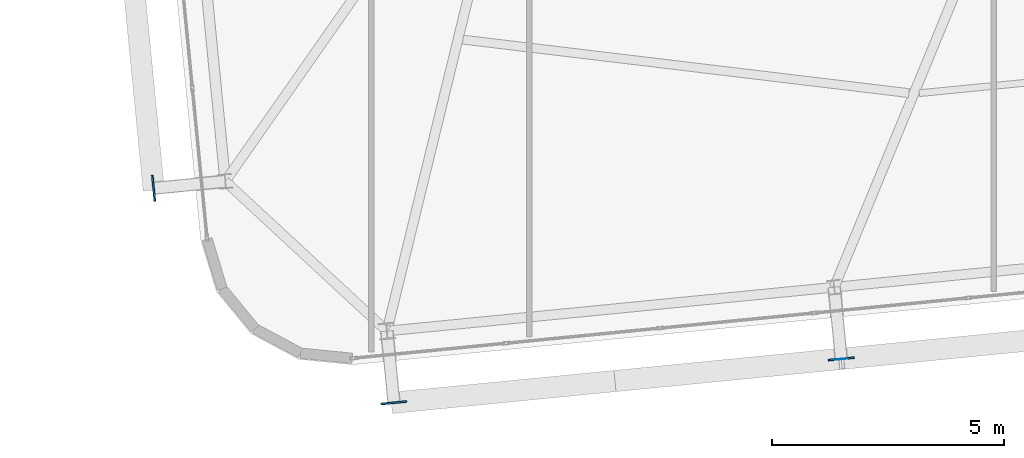
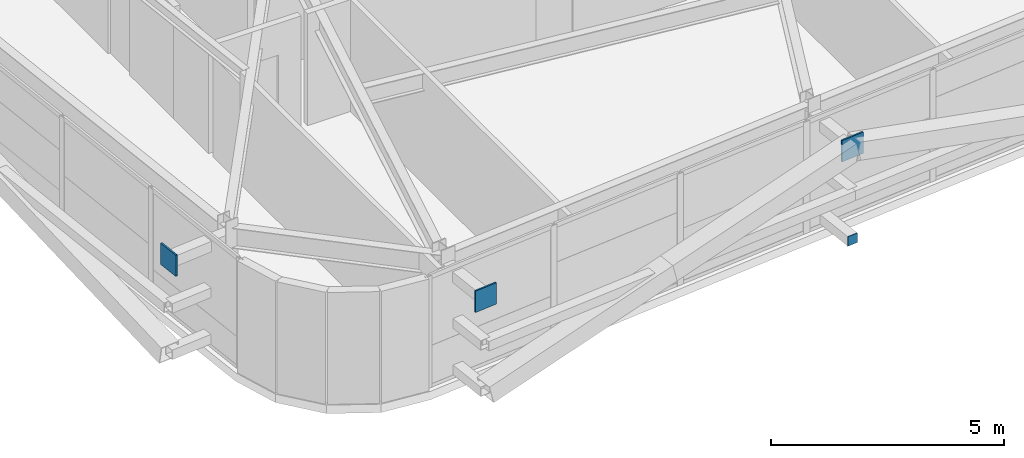
# One storey, part 38 of 52: 4 plates.
"""IFC4 building model written with IfcOpenShell, lengths in metres."""

from ifc_helpers import new_model, si_unit, direction, frame, origin, origin_2d, place, context, subcontext, project, spatial, rectangle, extrude, source, transform, mapped, material, layer, layer_set, type_object, element, save


model = new_model("IFC4")

# Units and contexts
model_context = context("Model", 3, precision=1e-05, world=origin(), true_north=direction((0.0, 1.0)))
body_context = subcontext(model_context, "Body", "Model", "MODEL_VIEW")
ifc_project = project(units=[si_unit("LENGTHUNIT", "METRE"), si_unit("AREAUNIT", "SQUARE_METRE"), si_unit("VOLUMEUNIT", "CUBIC_METRE"), si_unit("PLANEANGLEUNIT", "RADIAN"), si_unit("MASSUNIT", "GRAM", prefix="KILO")], contexts=[model_context])

# Site, building, storey
site_placement = place(None, origin())
site = spatial("IfcSite", under=ifc_project, at=site_placement, CompositionType="ELEMENT")
building_placement = place(site_placement, origin())
building = spatial("IfcBuilding", under=site, at=building_placement, Name="Taldren Reach Tower", CompositionType="ELEMENT")
storey_placement = place(building_placement, frame((0.0, 0.0, 93.449951171875)))
storey = spatial("IfcBuildingStorey", under=building, at=storey_placement, Name="L28", CompositionType="ELEMENT", Elevation=93.449951171875)

# Plates
ifc_material_1 = material(Name="Steel Gr 450 (C450L0)", Category="steel")
ifc_layer_1 = layer(ifc_material_1, 0.0400390625)
ifc_layer_set_1 = layer_set([ifc_layer_1], Name="Steel Gr 450 (C450L0)")
plate_type_1 = type_object("IfcPlateType", Name="PL-GUSSET-40", PredefinedType="SHEET", material=ifc_layer_set_1)
shared_shape_1 = source(origin(), body_context, "Body", "SweptSolid", [
    extrude(rectangle(XDim=0.56005859375, YDim=0.0400390625, at=origin_2d()), origin(), (0.0, 0.0, 1.0), 0.56005859375),
])
for number, where, z_axis, x_axis, name in (
    (1, (15.08544921875, -1.62255859375, 2.3701171875), (0.0, 0.0, 1.0), (0.995227399982, 0.097582899759, 0.0), "Exoskeleton star-node gusset plate B2-S1 L28"),
    (2, (24.71923828125, -0.677978515625, 2.3701171875), (0.0, 0.0, 1.0), (0.995227399982, 0.097582899759, 0.0), "Exoskeleton star-node gusset plate B2-S2 L28"),
    (3, (9.91015625, 2.99462890625, 2.3701171875), (0.0, 0.0, 1.0), (-0.097582899759, 0.995227399982, 0.0), "Exoskeleton star-node gusset plate B2-W1 L28"),
):
    element("IfcPlate", number, at=place(storey_placement, frame(where, z_axis=z_axis, x_axis=x_axis)), inside=storey, type_object=plate_type_1, Name=name, PredefinedType="SHEET", context=body_context, shape_type="MappedRepresentation", body=[
        mapped(shared_shape_1, transform((0.0, 0.0, 0.0), scale=1.0)),
    ])
ifc_material_2 = material(Name="Steel Gr 350 (C350L0)", Category="steel")
ifc_layer_2 = layer(ifc_material_2, 0.011962890625)
ifc_layer_set_2 = layer_set([ifc_layer_2], Name="Steel Gr 350 (C350L0)")
plate_type_2 = type_object("IfcPlateType", Name="PL-CAP-250", PredefinedType="SHEET", material=ifc_layer_set_2)
shared_shape_2 = source(origin(), body_context, "Body", "SweptSolid", [
    extrude(rectangle(XDim=0.25, YDim=0.011962890625, at=origin_2d()), origin(), (0.0, 0.0, 1.0), 0.25),
])
plate_placement = place(storey_placement, frame((24.7197265625, -0.683837890625, 0.094970703125), z_axis=(0.0, 0.0, 1.0), x_axis=(0.995227399982, 0.097582899759, 0.0)))
element("IfcPlate", 4, at=plate_placement, inside=storey, type_object=plate_type_2, Name="Tie strut end cap plate B2-S2 L28", PredefinedType="SHEET", context=body_context, shape_type="MappedRepresentation", body=[
    mapped(shared_shape_2, transform((0.0, 0.0, 0.0), scale=1.0)),
])

save(model, "model.ifc")
